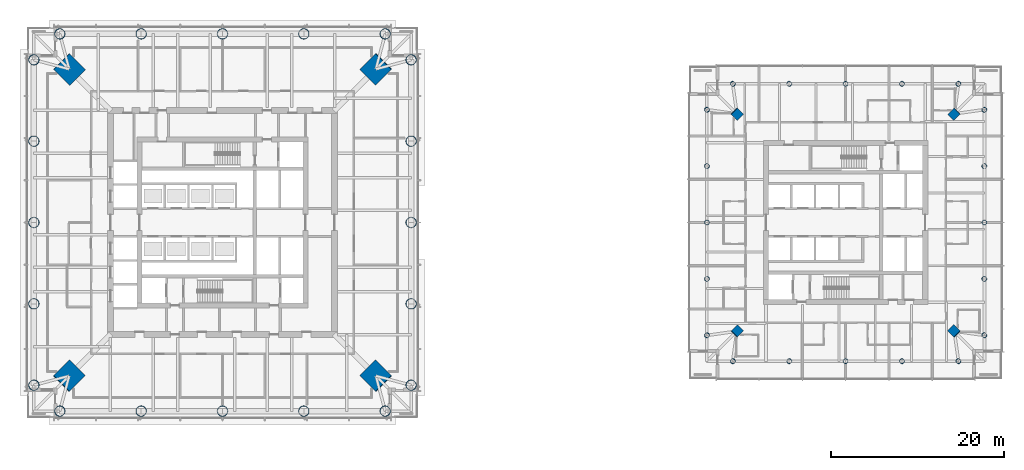
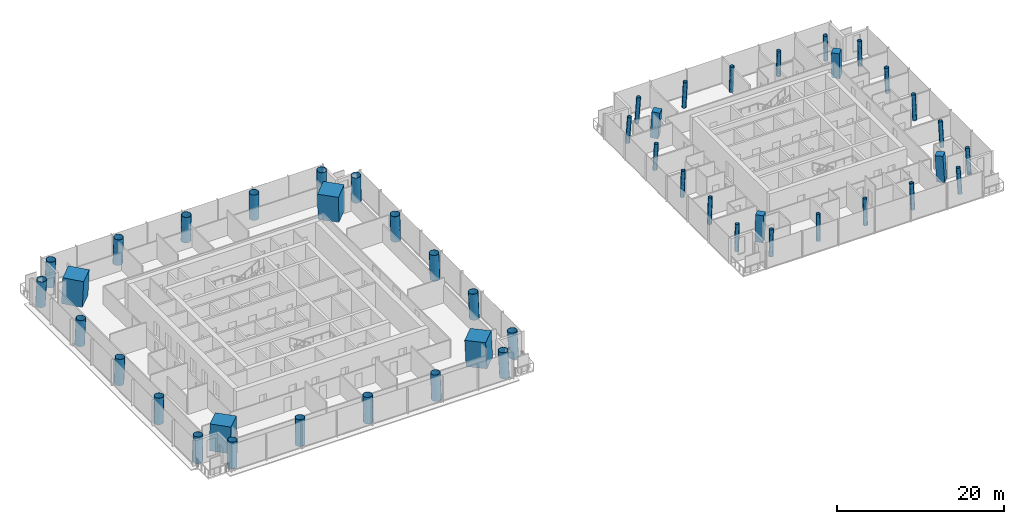
# One storey, part 1 of 27: 48 columns.
"""IFC4 building model written with IfcOpenShell, lengths in metres."""

from ifc_helpers import new_model, si_unit, direction, frame, origin, origin_2d, place, context, subcontext, project, spatial, rectangle, hollow_circle, extrude, material, material_profile, profile_set, type_object, element, save


model = new_model("IFC4")

# Units and contexts
model_context = context("Model", 3, precision=1e-05, world=origin(), true_north=direction((0.0, 1.0)))
body_context = subcontext(model_context, "Body", "Model", "MODEL_VIEW")
ifc_project = project(units=[si_unit("LENGTHUNIT", "METRE"), si_unit("AREAUNIT", "SQUARE_METRE"), si_unit("VOLUMEUNIT", "CUBIC_METRE"), si_unit("PLANEANGLEUNIT", "RADIAN"), si_unit("MASSUNIT", "GRAM", prefix="KILO")], contexts=[model_context])

# Site, building, storey
site_placement = place(None, origin())
site = spatial("IfcSite", under=ifc_project, at=site_placement, CompositionType="ELEMENT")
building_placement = place(site_placement, origin())
building = spatial("IfcBuilding", under=site, at=building_placement, Name="Ostroluk Exchange", CompositionType="ELEMENT")
storey_placement = place(building_placement, frame((0.0, 0.0, 89.39990234375)))
storey = spatial("IfcBuildingStorey", under=building, at=storey_placement, Name="L22", CompositionType="ELEMENT", Elevation=89.39990234375)

# Columns
ifc_material_1 = material(Name="Concrete C50/60", Category="concrete")
ifc_material_profile_1 = material_profile(ifc_material_1, rectangle(XDim=1.0, YDim=1.0, at=origin_2d()), Name="RC 1000x1000")
ifc_profile_set_1 = profile_set([ifc_material_profile_1], Name="Concrete C50/60")
column_type_1 = type_object("IfcColumnType", Name="Mega column RC 1000x1000", PredefinedType="COLUMN", material=ifc_profile_set_1)
for number, where, z_axis, x_axis, name in (
    (1, (129.5517578125, 58.5517578125, 0.0), (-0.043029647111, -0.043029647111, 0.998146732169), (0.707106781187, -0.707106781187, 0.0), "T2 mega column NE"),
    (2, (104.4482421875, 58.5517578125, 0.0), (0.043029647111, -0.043029647111, 0.998146732169), (0.707106781187, 0.707106781187, 0.0), "T2 mega column NW"),
    (3, (104.4482421875, 33.4482421875, 0.0), (0.043029647111, 0.043029647111, 0.998146732169), (-0.707106781187, 0.707106781187, 0.0), "T2 mega column SW"),
    (4, (129.5517578125, 33.4482421875, 0.0), (-0.043029647111, 0.043029647111, 0.998146732169), (-0.707106781187, -0.707106781187, 0.0), "T2 mega column SE"),
):
    element("IfcColumn", number, at=place(storey_placement, frame(where, z_axis=z_axis, x_axis=x_axis)), inside=storey, type_object=column_type_1, Name=name, PredefinedType="COLUMN", context=body_context, shape_type="SweptSolid", body=[
        extrude(rectangle(XDim=1.0, YDim=1.0, at=origin_2d()), origin(), (0.0, 0.0, 1.0), 3.80712890625),
    ])
ifc_material_2 = material(Name="Concrete C50/60", Category="concrete")
ifc_material_profile_2 = material_profile(ifc_material_2, rectangle(XDim=2.60009765625, YDim=2.60009765625, at=origin_2d()), Name="RC 2600x2600")
ifc_profile_set_2 = profile_set([ifc_material_profile_2], Name="Concrete C50/60")
column_type_2 = type_object("IfcColumnType", Name="Mega column RC 2600x2600", PredefinedType="COLUMN", material=ifc_profile_set_2)
for number, where, z_axis, x_axis, name in (
    (5, (62.71435546875, 63.71435546875, 0.0), (-0.031962158256, -0.031962158256, 0.998977898093), (0.707106781187, -0.707106781187, 0.0), "T1 mega column NE"),
    (6, (27.28564453125, 63.71435546875, 0.0), (0.031962158256, -0.031962158256, 0.998977898093), (0.707106781187, 0.707106781187, 0.0), "T1 mega column NW"),
    (7, (27.28564453125, 28.28564453125, 0.0), (0.031962158256, 0.031962158256, 0.998977898093), (-0.707106781187, 0.707106781187, 0.0), "T1 mega column SW"),
    (8, (62.71435546875, 28.28564453125, 0.0), (-0.031962158256, 0.031962158256, 0.998977898093), (-0.707106781187, -0.707106781187, 0.0), "T1 mega column SE"),
):
    element("IfcColumn", number, at=place(storey_placement, frame(where, z_axis=z_axis, x_axis=x_axis)), inside=storey, type_object=column_type_2, Name=name, PredefinedType="COLUMN", context=body_context, shape_type="SweptSolid", body=[
        extrude(rectangle(XDim=2.60009765625, YDim=2.60009765625, at=origin_2d()), origin(), (0.0, 0.0, 1.0), 3.803955078125),
    ])
ifc_material_3 = material(Name="Steel S460", Category="steel")
ifc_material_profile_3 = material_profile(ifc_material_3, hollow_circle(Radius=0.609619140625, WallThickness=0.0400390625, at=origin_2d()), Name="CHS 1219x40")
ifc_profile_set_3 = profile_set([ifc_material_profile_3], Name="Steel S460")
column_type_3 = type_object("IfcColumnType", Name="Perimeter column CHS 1219x40", PredefinedType="COLUMN", material=ifc_profile_set_3)
for number, where, z_axis, x_axis, name in (
    (9, (66.814208984375, 27.185791015625, 0.0), (-0.031898107953, 0.031898107953, 0.998981992539), (-0.707106781187, -0.707106781187, 0.0), "T1 east face column E0"),
    (10, (66.814208984375, 64.814208984375, 0.0), (-0.031898107953, -0.031898107953, 0.998981992539), (0.707106781187, -0.707106781187, 0.0), "T1 east face column E1"),
):
    element("IfcColumn", number, at=place(storey_placement, frame(where, z_axis=z_axis, x_axis=x_axis)), inside=storey, type_object=column_type_3, Name=name, PredefinedType="COLUMN", context=body_context, shape_type="SweptSolid", body=[
        extrude(hollow_circle(Radius=0.609619140625, WallThickness=0.0400390625, at=origin_2d()), origin(), (0.0, 0.0, 1.0), 3.803955078125),
    ])
column_1_placement = place(storey_placement, frame((66.814208984375, 36.5927734375, 0.0), z_axis=(-0.031910269556, 0.015987237665, 0.999362868496), x_axis=(-0.447933021895, -0.894067115991, 0.0)))
element("IfcColumn", 11, at=column_1_placement, inside=storey, type_object=column_type_3, Name="T1 east face column I1", PredefinedType="COLUMN", context=body_context, shape_type="SweptSolid", body=[
    extrude(hollow_circle(Radius=0.609619140625, WallThickness=0.0400390625, at=origin_2d()), origin(), (0.0, 0.0, 1.0), 3.802490234375),
])
column_2_placement = place(storey_placement, frame((66.814208984375, 46.0, 0.0), z_axis=(-0.031914348339, 0.0, 0.999490607445), x_axis=(0.0, -1.0, 0.0)))
element("IfcColumn", 12, at=column_2_placement, inside=storey, type_object=column_type_3, Name="T1 east face column I2", PredefinedType="COLUMN", context=body_context, shape_type="SweptSolid", body=[
    extrude(hollow_circle(Radius=0.609619140625, WallThickness=0.0400390625, at=origin_2d()), origin(), (0.0, 0.0, 1.0), 3.802001953125),
])
column_3_placement = place(storey_placement, frame((66.814208984375, 55.4072265625, 0.0), z_axis=(-0.031910269556, -0.015987237665, 0.999362868496), x_axis=(0.447933021895, -0.894067115991, 0.0)))
element("IfcColumn", 13, at=column_3_placement, inside=storey, type_object=column_type_3, Name="T1 east face column I3", PredefinedType="COLUMN", context=body_context, shape_type="SweptSolid", body=[
    extrude(hollow_circle(Radius=0.609619140625, WallThickness=0.0400390625, at=origin_2d()), origin(), (0.0, 0.0, 1.0), 3.802490234375),
])
for number, where, z_axis, x_axis, name in (
    (14, (63.814208984375, 67.814208984375, 0.0), (-0.031898107953, -0.031898107953, 0.998981992539), (0.707106781187, -0.707106781187, 0.0), "T1 north face column E0"),
    (15, (26.185791015625, 67.814208984375, 0.0), (0.031898107953, -0.031898107953, 0.998981992539), (0.707106781187, 0.707106781187, 0.0), "T1 north face column E1"),
):
    element("IfcColumn", number, at=place(storey_placement, frame(where, z_axis=z_axis, x_axis=x_axis)), inside=storey, type_object=column_type_3, Name=name, PredefinedType="COLUMN", context=body_context, shape_type="SweptSolid", body=[
        extrude(hollow_circle(Radius=0.609619140625, WallThickness=0.0400390625, at=origin_2d()), origin(), (0.0, 0.0, 1.0), 3.803955078125),
    ])
column_4_placement = place(storey_placement, frame((54.4072265625, 67.814208984375, 0.0), z_axis=(-0.015987237665, -0.031910269556, 0.999362868496), x_axis=(0.894067115991, -0.447933021895, 0.0)))
element("IfcColumn", 16, at=column_4_placement, inside=storey, type_object=column_type_3, Name="T1 north face column I1", PredefinedType="COLUMN", context=body_context, shape_type="SweptSolid", body=[
    extrude(hollow_circle(Radius=0.609619140625, WallThickness=0.0400390625, at=origin_2d()), origin(), (0.0, 0.0, 1.0), 3.802490234375),
])
column_5_placement = place(storey_placement, frame((45.0, 67.814208984375, 0.0), z_axis=(0.0, -0.031914348339, 0.999490607445), x_axis=(1.0, 0.0, 0.0)))
element("IfcColumn", 17, at=column_5_placement, inside=storey, type_object=column_type_3, Name="T1 north face column I2", PredefinedType="COLUMN", context=body_context, shape_type="SweptSolid", body=[
    extrude(hollow_circle(Radius=0.609619140625, WallThickness=0.0400390625, at=origin_2d()), origin(), (0.0, 0.0, 1.0), 3.802001953125),
])
column_6_placement = place(storey_placement, frame((35.5927734375, 67.814208984375, 0.0), z_axis=(0.015987237665, -0.031910269556, 0.999362868496), x_axis=(0.894067115991, 0.447933021895, 0.0)))
element("IfcColumn", 18, at=column_6_placement, inside=storey, type_object=column_type_3, Name="T1 north face column I3", PredefinedType="COLUMN", context=body_context, shape_type="SweptSolid", body=[
    extrude(hollow_circle(Radius=0.609619140625, WallThickness=0.0400390625, at=origin_2d()), origin(), (0.0, 0.0, 1.0), 3.802490234375),
])
for number, where, z_axis, x_axis, name in (
    (19, (23.185791015625, 64.814208984375, 0.0), (0.031898107953, -0.031898107953, 0.998981992539), (0.707106781187, 0.707106781187, 0.0), "T1 west face column E0"),
    (20, (23.185791015625, 27.185791015625, 0.0), (0.031898107953, 0.031898107953, 0.998981992539), (-0.707106781187, 0.707106781187, 0.0), "T1 west face column E1"),
):
    element("IfcColumn", number, at=place(storey_placement, frame(where, z_axis=z_axis, x_axis=x_axis)), inside=storey, type_object=column_type_3, Name=name, PredefinedType="COLUMN", context=body_context, shape_type="SweptSolid", body=[
        extrude(hollow_circle(Radius=0.609619140625, WallThickness=0.0400390625, at=origin_2d()), origin(), (0.0, 0.0, 1.0), 3.803955078125),
    ])
column_7_placement = place(storey_placement, frame((23.185791015625, 55.4072265625, 0.0), z_axis=(0.031910269556, -0.015987237665, 0.999362868496), x_axis=(0.447933021895, 0.894067115991, 0.0)))
element("IfcColumn", 21, at=column_7_placement, inside=storey, type_object=column_type_3, Name="T1 west face column I1", PredefinedType="COLUMN", context=body_context, shape_type="SweptSolid", body=[
    extrude(hollow_circle(Radius=0.609619140625, WallThickness=0.0400390625, at=origin_2d()), origin(), (0.0, 0.0, 1.0), 3.802490234375),
])
column_8_placement = place(storey_placement, frame((23.185791015625, 46.0, 0.0), z_axis=(0.031914348339, 0.0, 0.999490607445), x_axis=(0.0, 1.0, 0.0)))
element("IfcColumn", 22, at=column_8_placement, inside=storey, type_object=column_type_3, Name="T1 west face column I2", PredefinedType="COLUMN", context=body_context, shape_type="SweptSolid", body=[
    extrude(hollow_circle(Radius=0.609619140625, WallThickness=0.0400390625, at=origin_2d()), origin(), (0.0, 0.0, 1.0), 3.802001953125),
])
column_9_placement = place(storey_placement, frame((23.185791015625, 36.5927734375, 0.0), z_axis=(0.031910269556, 0.015987237665, 0.999362868496), x_axis=(-0.447933021895, 0.894067115991, 0.0)))
element("IfcColumn", 23, at=column_9_placement, inside=storey, type_object=column_type_3, Name="T1 west face column I3", PredefinedType="COLUMN", context=body_context, shape_type="SweptSolid", body=[
    extrude(hollow_circle(Radius=0.609619140625, WallThickness=0.0400390625, at=origin_2d()), origin(), (0.0, 0.0, 1.0), 3.802490234375),
])
for number, where, z_axis, x_axis, name in (
    (24, (26.185791015625, 24.185791015625, 0.0), (0.031898107953, 0.031898107953, 0.998981992539), (-0.707106781187, 0.707106781187, 0.0), "T1 south face column E0"),
    (25, (63.814208984375, 24.185791015625, 0.0), (-0.031898107953, 0.031898107953, 0.998981992539), (-0.707106781187, -0.707106781187, 0.0), "T1 south face column E1"),
):
    element("IfcColumn", number, at=place(storey_placement, frame(where, z_axis=z_axis, x_axis=x_axis)), inside=storey, type_object=column_type_3, Name=name, PredefinedType="COLUMN", context=body_context, shape_type="SweptSolid", body=[
        extrude(hollow_circle(Radius=0.609619140625, WallThickness=0.0400390625, at=origin_2d()), origin(), (0.0, 0.0, 1.0), 3.803955078125),
    ])
column_10_placement = place(storey_placement, frame((35.5927734375, 24.185791015625, 0.0), z_axis=(0.015987237665, 0.031910269556, 0.999362868496), x_axis=(-0.894067115991, 0.447933021895, 0.0)))
element("IfcColumn", 26, at=column_10_placement, inside=storey, type_object=column_type_3, Name="T1 south face column I1", PredefinedType="COLUMN", context=body_context, shape_type="SweptSolid", body=[
    extrude(hollow_circle(Radius=0.609619140625, WallThickness=0.0400390625, at=origin_2d()), origin(), (0.0, 0.0, 1.0), 3.802490234375),
])
column_11_placement = place(storey_placement, frame((45.0, 24.185791015625, 0.0), z_axis=(0.0, 0.031914348339, 0.999490607445), x_axis=(-1.0, 0.0, 0.0)))
element("IfcColumn", 27, at=column_11_placement, inside=storey, type_object=column_type_3, Name="T1 south face column I2", PredefinedType="COLUMN", context=body_context, shape_type="SweptSolid", body=[
    extrude(hollow_circle(Radius=0.609619140625, WallThickness=0.0400390625, at=origin_2d()), origin(), (0.0, 0.0, 1.0), 3.802001953125),
])
column_12_placement = place(storey_placement, frame((54.4072265625, 24.185791015625, 0.0), z_axis=(-0.015987237665, 0.031910269556, 0.999362868496), x_axis=(-0.894067115991, -0.447933021895, 0.0)))
element("IfcColumn", 28, at=column_12_placement, inside=storey, type_object=column_type_3, Name="T1 south face column I3", PredefinedType="COLUMN", context=body_context, shape_type="SweptSolid", body=[
    extrude(hollow_circle(Radius=0.609619140625, WallThickness=0.0400390625, at=origin_2d()), origin(), (0.0, 0.0, 1.0), 3.802490234375),
])
ifc_material_4 = material(Name="Steel S460", Category="steel")
ifc_material_profile_4 = material_profile(ifc_material_4, hollow_circle(Radius=0.279541015625, WallThickness=0.02001953125, at=origin_2d()), Name="CHS 559x20")
ifc_profile_set_4 = profile_set([ifc_material_profile_4], Name="Steel S460")
column_type_4 = type_object("IfcColumnType", Name="Perimeter column CHS 559x20", PredefinedType="COLUMN", material=ifc_profile_set_4)
for number, where, z_axis, x_axis, name in (
    (29, (133.0517578125, 32.9482421875, 0.0), (-0.043029647111, 0.043029647111, 0.998146732169), (-0.707106781187, -0.707106781187, 0.0), "T2 east face column E0"),
    (30, (133.0517578125, 59.0517578125, 0.0), (-0.043029647111, -0.043029647111, 0.998146732169), (0.707106781187, -0.707106781187, 0.0), "T2 east face column E1"),
):
    element("IfcColumn", number, at=place(storey_placement, frame(where, z_axis=z_axis, x_axis=x_axis)), inside=storey, type_object=column_type_4, Name=name, PredefinedType="COLUMN", context=body_context, shape_type="SweptSolid", body=[
        extrude(hollow_circle(Radius=0.279541015625, WallThickness=0.02001953125, at=origin_2d()), origin(), (0.0, 0.0, 1.0), 3.80712890625),
    ])
column_13_placement = place(storey_placement, frame((133.0517578125, 39.47412109375, 0.0), z_axis=(-0.043059525333, 0.021561848751, 0.998839808957), x_axis=(-0.44774654769, -0.894160516368, 0.0)))
element("IfcColumn", 31, at=column_13_placement, inside=storey, type_object=column_type_4, Name="T2 east face column I1", PredefinedType="COLUMN", context=body_context, shape_type="SweptSolid", body=[
    extrude(hollow_circle(Radius=0.279541015625, WallThickness=0.02001953125, at=origin_2d()), origin(), (0.0, 0.0, 1.0), 3.804443359375),
])
column_14_placement = place(storey_placement, frame((133.0517578125, 46.0, 0.0), z_axis=(-0.043069538298, 0.0, 0.999072076915), x_axis=(0.0, -1.0, 0.0)))
element("IfcColumn", 32, at=column_14_placement, inside=storey, type_object=column_type_4, Name="T2 east face column I2", PredefinedType="COLUMN", context=body_context, shape_type="SweptSolid", body=[
    extrude(hollow_circle(Radius=0.279541015625, WallThickness=0.02001953125, at=origin_2d()), origin(), (0.0, 0.0, 1.0), 3.803466796875),
])
column_15_placement = place(storey_placement, frame((133.0517578125, 52.52587890625, 0.0), z_axis=(-0.043059525333, -0.021561848751, 0.998839808957), x_axis=(0.44774654769, -0.894160516368, 0.0)))
element("IfcColumn", 33, at=column_15_placement, inside=storey, type_object=column_type_4, Name="T2 east face column I3", PredefinedType="COLUMN", context=body_context, shape_type="SweptSolid", body=[
    extrude(hollow_circle(Radius=0.279541015625, WallThickness=0.02001953125, at=origin_2d()), origin(), (0.0, 0.0, 1.0), 3.804443359375),
])
for number, where, z_axis, x_axis, name in (
    (34, (130.0517578125, 62.0517578125, 0.0), (-0.043029647111, -0.043029647111, 0.998146732169), (0.707106781187, -0.707106781187, 0.0), "T2 north face column E0"),
    (35, (103.9482421875, 62.0517578125, 0.0), (0.043029647111, -0.043029647111, 0.998146732169), (0.707106781187, 0.707106781187, 0.0), "T2 north face column E1"),
):
    element("IfcColumn", number, at=place(storey_placement, frame(where, z_axis=z_axis, x_axis=x_axis)), inside=storey, type_object=column_type_4, Name=name, PredefinedType="COLUMN", context=body_context, shape_type="SweptSolid", body=[
        extrude(hollow_circle(Radius=0.279541015625, WallThickness=0.02001953125, at=origin_2d()), origin(), (0.0, 0.0, 1.0), 3.80712890625),
    ])
column_16_placement = place(storey_placement, frame((123.52587890625, 62.0517578125, 0.0), z_axis=(-0.021561848751, -0.043059525333, 0.998839808957), x_axis=(0.894160516368, -0.44774654769, 0.0)))
element("IfcColumn", 36, at=column_16_placement, inside=storey, type_object=column_type_4, Name="T2 north face column I1", PredefinedType="COLUMN", context=body_context, shape_type="SweptSolid", body=[
    extrude(hollow_circle(Radius=0.279541015625, WallThickness=0.02001953125, at=origin_2d()), origin(), (0.0, 0.0, 1.0), 3.804443359375),
])
column_17_placement = place(storey_placement, frame((117.0, 62.0517578125, 0.0), z_axis=(0.0, -0.043069538298, 0.999072076915), x_axis=(1.0, 0.0, 0.0)))
element("IfcColumn", 37, at=column_17_placement, inside=storey, type_object=column_type_4, Name="T2 north face column I2", PredefinedType="COLUMN", context=body_context, shape_type="SweptSolid", body=[
    extrude(hollow_circle(Radius=0.279541015625, WallThickness=0.02001953125, at=origin_2d()), origin(), (0.0, 0.0, 1.0), 3.803466796875),
])
column_18_placement = place(storey_placement, frame((110.47412109375, 62.0517578125, 0.0), z_axis=(0.021561848751, -0.043059525333, 0.998839808957), x_axis=(0.894160516368, 0.44774654769, 0.0)))
element("IfcColumn", 38, at=column_18_placement, inside=storey, type_object=column_type_4, Name="T2 north face column I3", PredefinedType="COLUMN", context=body_context, shape_type="SweptSolid", body=[
    extrude(hollow_circle(Radius=0.279541015625, WallThickness=0.02001953125, at=origin_2d()), origin(), (0.0, 0.0, 1.0), 3.804443359375),
])
for number, where, z_axis, x_axis, name in (
    (39, (100.9482421875, 59.0517578125, 0.0), (0.043029647111, -0.043029647111, 0.998146732169), (0.707106781187, 0.707106781187, 0.0), "T2 west face column E0"),
    (40, (100.9482421875, 32.9482421875, 0.0), (0.043029647111, 0.043029647111, 0.998146732169), (-0.707106781187, 0.707106781187, 0.0), "T2 west face column E1"),
):
    element("IfcColumn", number, at=place(storey_placement, frame(where, z_axis=z_axis, x_axis=x_axis)), inside=storey, type_object=column_type_4, Name=name, PredefinedType="COLUMN", context=body_context, shape_type="SweptSolid", body=[
        extrude(hollow_circle(Radius=0.279541015625, WallThickness=0.02001953125, at=origin_2d()), origin(), (0.0, 0.0, 1.0), 3.80712890625),
    ])
column_19_placement = place(storey_placement, frame((100.9482421875, 52.52587890625, 0.0), z_axis=(0.043059525333, -0.021561848751, 0.998839808957), x_axis=(0.44774654769, 0.894160516368, 0.0)))
element("IfcColumn", 41, at=column_19_placement, inside=storey, type_object=column_type_4, Name="T2 west face column I1", PredefinedType="COLUMN", context=body_context, shape_type="SweptSolid", body=[
    extrude(hollow_circle(Radius=0.279541015625, WallThickness=0.02001953125, at=origin_2d()), origin(), (0.0, 0.0, 1.0), 3.804443359375),
])
column_20_placement = place(storey_placement, frame((100.9482421875, 46.0, 0.0), z_axis=(0.043069538298, 0.0, 0.999072076915), x_axis=(0.0, 1.0, 0.0)))
element("IfcColumn", 42, at=column_20_placement, inside=storey, type_object=column_type_4, Name="T2 west face column I2", PredefinedType="COLUMN", context=body_context, shape_type="SweptSolid", body=[
    extrude(hollow_circle(Radius=0.279541015625, WallThickness=0.02001953125, at=origin_2d()), origin(), (0.0, 0.0, 1.0), 3.803466796875),
])
column_21_placement = place(storey_placement, frame((100.9482421875, 39.47412109375, 0.0), z_axis=(0.043059525333, 0.021561848751, 0.998839808957), x_axis=(-0.44774654769, 0.894160516368, 0.0)))
element("IfcColumn", 43, at=column_21_placement, inside=storey, type_object=column_type_4, Name="T2 west face column I3", PredefinedType="COLUMN", context=body_context, shape_type="SweptSolid", body=[
    extrude(hollow_circle(Radius=0.279541015625, WallThickness=0.02001953125, at=origin_2d()), origin(), (0.0, 0.0, 1.0), 3.804443359375),
])
for number, where, z_axis, x_axis, name in (
    (44, (103.9482421875, 29.9482421875, 0.0), (0.043029647111, 0.043029647111, 0.998146732169), (-0.707106781187, 0.707106781187, 0.0), "T2 south face column E0"),
    (45, (130.0517578125, 29.9482421875, 0.0), (-0.043029647111, 0.043029647111, 0.998146732169), (-0.707106781187, -0.707106781187, 0.0), "T2 south face column E1"),
):
    element("IfcColumn", number, at=place(storey_placement, frame(where, z_axis=z_axis, x_axis=x_axis)), inside=storey, type_object=column_type_4, Name=name, PredefinedType="COLUMN", context=body_context, shape_type="SweptSolid", body=[
        extrude(hollow_circle(Radius=0.279541015625, WallThickness=0.02001953125, at=origin_2d()), origin(), (0.0, 0.0, 1.0), 3.80712890625),
    ])
column_22_placement = place(storey_placement, frame((110.47412109375, 29.9482421875, 0.0), z_axis=(0.021561848751, 0.043059525333, 0.998839808957), x_axis=(-0.894160516368, 0.44774654769, 0.0)))
element("IfcColumn", 46, at=column_22_placement, inside=storey, type_object=column_type_4, Name="T2 south face column I1", PredefinedType="COLUMN", context=body_context, shape_type="SweptSolid", body=[
    extrude(hollow_circle(Radius=0.279541015625, WallThickness=0.02001953125, at=origin_2d()), origin(), (0.0, 0.0, 1.0), 3.804443359375),
])
column_23_placement = place(storey_placement, frame((117.0, 29.9482421875, 0.0), z_axis=(0.0, 0.043069538298, 0.999072076915), x_axis=(-1.0, 0.0, 0.0)))
element("IfcColumn", 47, at=column_23_placement, inside=storey, type_object=column_type_4, Name="T2 south face column I2", PredefinedType="COLUMN", context=body_context, shape_type="SweptSolid", body=[
    extrude(hollow_circle(Radius=0.279541015625, WallThickness=0.02001953125, at=origin_2d()), origin(), (0.0, 0.0, 1.0), 3.803466796875),
])
column_24_placement = place(storey_placement, frame((123.52587890625, 29.9482421875, 0.0), z_axis=(-0.021561848751, 0.043059525333, 0.998839808957), x_axis=(-0.894160516368, -0.44774654769, 0.0)))
element("IfcColumn", 48, at=column_24_placement, inside=storey, type_object=column_type_4, Name="T2 south face column I3", PredefinedType="COLUMN", context=body_context, shape_type="SweptSolid", body=[
    extrude(hollow_circle(Radius=0.279541015625, WallThickness=0.02001953125, at=origin_2d()), origin(), (0.0, 0.0, 1.0), 3.804443359375),
])

save(model, "model.ifc")
